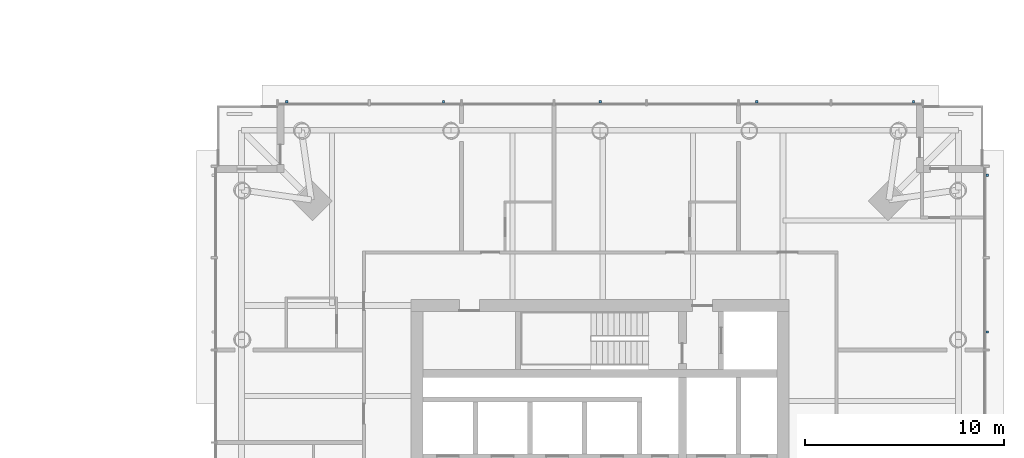
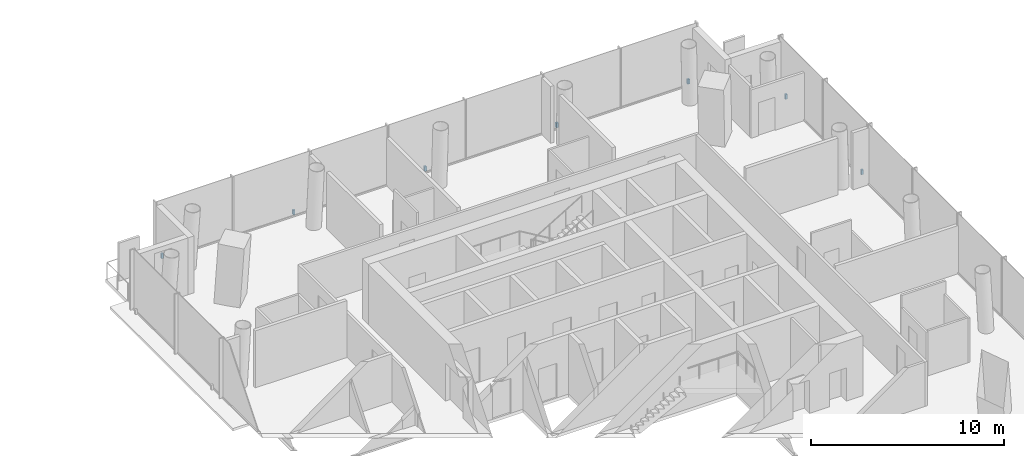
# One storey, part 19 of 21: 7 discrete accessories.
"""IFC4 building model written with IfcOpenShell, lengths in metres."""

from ifc_helpers import new_model, si_unit, direction, frame, origin, origin_2d, place, context, subcontext, project, spatial, rectangle, extrude, material, type_object, element, save


model = new_model("IFC4")

# Units and contexts
model_context = context("Model", 3, precision=1e-05, world=origin(), true_north=direction((0.0, 1.0)))
body_context = subcontext(model_context, "Body", "Model", "MODEL_VIEW")
ifc_project = project(units=[si_unit("LENGTHUNIT", "METRE"), si_unit("AREAUNIT", "SQUARE_METRE"), si_unit("VOLUMEUNIT", "CUBIC_METRE"), si_unit("PLANEANGLEUNIT", "RADIAN"), si_unit("MASSUNIT", "GRAM", prefix="KILO")], contexts=[model_context])

# Site, building, storey
site_placement = place(None, origin())
site = spatial("IfcSite", under=ifc_project, at=site_placement, CompositionType="ELEMENT")
building_placement = place(site_placement, origin())
building = spatial("IfcBuilding", under=site, at=building_placement, Name="Ostroluk Exchange", CompositionType="ELEMENT")
storey_placement = place(building_placement, frame((0.0, 0.0, 43.800048828125)))
storey = spatial("IfcBuildingStorey", under=building, at=storey_placement, Name="L10", CompositionType="ELEMENT", Elevation=43.800048828125)

# Discrete accessories
ifc_material = material(Name="Stainless steel", Category="steel")
discrete_accessory_type = type_object("IfcDiscreteAccessoryType", Name="Fall-arrest anchor PN-EN 795 type C", PredefinedType="USERDEFINED", material=ifc_material)
for number, where, z_axis, x_axis, name in (
    (1, (136.4599609375, 53.875, 0.0), (0.0, 0.0, 1.0), (1.0, 0.0, 0.0), "Fall-arrest anchor L10 east 4"),
    (2, (136.4599609375, 61.75, 0.0), (0.0, 0.0, 1.0), (1.0, 0.0, 0.0), "Fall-arrest anchor L10 east 5"),
    (3, (101.25, 65.4599609375, 0.0), (0.0, 0.0, 1.0), (1.0, 0.0, 0.0), "Fall-arrest anchor L10 north 1"),
    (4, (109.125, 65.4599609375, 0.0), (0.0, 0.0, 1.0), (1.0, 0.0, 0.0), "Fall-arrest anchor L10 north 2"),
    (5, (117.0, 65.4599609375, 0.0), (0.0, 0.0, 1.0), (1.0, 0.0, 0.0), "Fall-arrest anchor L10 north 3"),
    (6, (124.875, 65.4599609375, 0.0), (0.0, 0.0, 1.0), (1.0, 0.0, 0.0), "Fall-arrest anchor L10 north 4"),
    (7, (132.75, 65.4599609375, 0.0), (0.0, 0.0, 1.0), (1.0, 0.0, 0.0), "Fall-arrest anchor L10 north 5"),
):
    element("IfcDiscreteAccessory", number, at=place(storey_placement, frame(where, z_axis=z_axis, x_axis=x_axis)), inside=storey, type_object=discrete_accessory_type, Name=name, ObjectType="FALL ARREST ANCHOR", PredefinedType="USERDEFINED", context=body_context, shape_type="SweptSolid", body=[
        extrude(rectangle(XDim=0.1201171875, YDim=0.1201171875, at=origin_2d()), origin(), (0.0, 0.0, 1.0), 0.300048828125),
    ])

save(model, "model.ifc")
